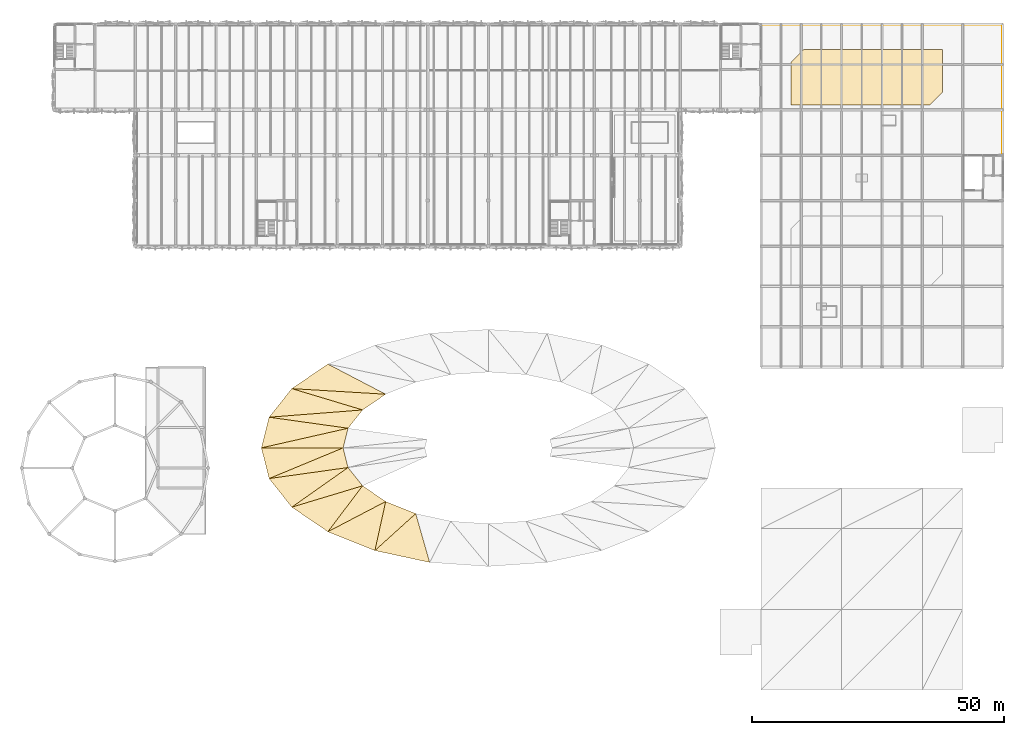
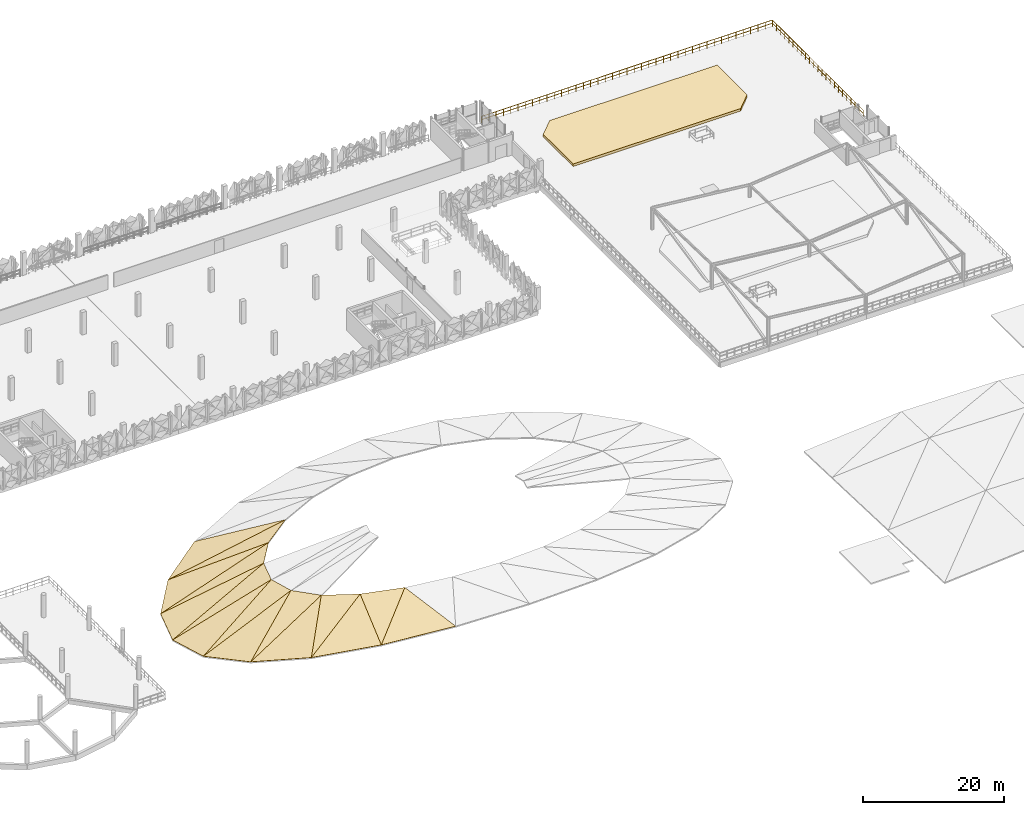
# One storey, part 51 of 52: 16 coverings, 1 railing.
"""IFC4 building model written with IfcOpenShell, lengths in metres."""

from ifc_helpers import new_model, si_unit, derived_unit, direction, frame, origin, origin_2d, place, context, subcontext, project, spatial, polyline, circle, outline, extrude, polygons, material, layer, layer_set, type_object, element, save


model = new_model("IFC4")

# Units and contexts
model_context = context("Model", 3, precision=1e-05, world=origin(), true_north=direction((0.0, 1.0)))
body_context = subcontext(model_context, "Body", "Model", "MODEL_VIEW")
ifc_project = project(units=[si_unit("LENGTHUNIT", "METRE"), si_unit("AREAUNIT", "SQUARE_METRE"), si_unit("VOLUMEUNIT", "CUBIC_METRE"), si_unit("PLANEANGLEUNIT", "RADIAN"), si_unit("MASSUNIT", "GRAM", prefix="KILO"), si_unit("THERMODYNAMICTEMPERATUREUNIT", "KELVIN"), derived_unit("THERMALTRANSMITTANCEUNIT", [(si_unit("POWERUNIT", "WATT"), 1), (si_unit("AREAUNIT", "SQUARE_METRE"), -1), (si_unit("THERMODYNAMICTEMPERATUREUNIT", "KELVIN"), -1)])], contexts=[model_context])

# Site, building, storey
site_placement = place(None, origin())
site = spatial("IfcSite", under=ifc_project, at=site_placement, CompositionType="ELEMENT")
building_placement = place(site_placement, origin())
building = spatial("IfcBuilding", under=site, at=building_placement, Name="Haiyu Intermodal Mobility Hub", CompositionType="ELEMENT")
storey_placement = place(building_placement, frame((0.0, 0.0, 21.199951171875)))
storey = spatial("IfcBuildingStorey", under=building, at=storey_placement, Name="L05", CompositionType="ELEMENT", Elevation=21.199951171875)

# Coverings
ifc_material_1 = material(Name="PTFE tensile membrane")
ifc_layer_1 = layer(ifc_material_1, 0.050048828125)
ifc_layer_set_1 = layer_set([ifc_layer_1], Name="PTFE tensile membrane")
covering_type_1 = type_object("IfcCoveringType", Name="COV-CV03", PredefinedType="ROOFING", material=ifc_layer_set_1)
covering_1_placement = place(storey_placement, origin())
element("IfcCovering", 1, at=covering_1_placement, inside=storey, type_object=covering_type_1, Name="PTFE Saddle Membrane 091", PredefinedType="ROOFING", context=body_context, shape_type="Tessellation", body=[
    polygons([(87.635009765625, 74.635009765625, 1.594970703125), (76.179931640625, 80.616943359375, -1.800048828125), (69.029052734375, 75.75, -3.0), (87.635009765625, 74.635009765625, 1.64501953125), (76.179931640625, 80.616943359375, -1.75), (69.029052734375, 75.75, -2.949951171875)], [[[3, 2, 1]], [[4, 5, 6]], [[1, 2, 5, 4]], [[2, 3, 6, 5]], [[3, 1, 4, 6]]], closed=True),
])
covering_2_placement = place(storey_placement, origin())
element("IfcCovering", 2, at=covering_2_placement, inside=storey, type_object=covering_type_1, Name="PTFE Saddle Membrane 092", PredefinedType="ROOFING", context=body_context, shape_type="Tessellation", body=[
    polygons([(87.635009765625, 74.635009765625, 1.594970703125), (69.029052734375, 75.75, -3.0), (83.05810546875, 71.52001953125, 1.10302734375), (87.635009765625, 74.635009765625, 1.64501953125), (69.029052734375, 75.75, -2.949951171875), (83.05810546875, 71.52001953125, 1.153076171875)], [[[3, 2, 1]], [[4, 5, 6]], [[1, 2, 5, 4]], [[2, 3, 6, 5]], [[3, 1, 4, 6]]], closed=True),
])
covering_3_placement = place(storey_placement, origin())
element("IfcCovering", 3, at=covering_3_placement, inside=storey, type_object=covering_type_1, Name="PTFE Saddle Membrane 093", PredefinedType="ROOFING", context=body_context, shape_type="Tessellation", body=[
    polygons([(83.05810546875, 71.52001953125, 1.10302734375), (69.029052734375, 75.75, -3.0), (64.532958984375, 70.08203125, -3.87890625), (83.05810546875, 71.52001953125, 1.153076171875), (69.029052734375, 75.75, -2.949951171875), (64.532958984375, 70.08203125, -3.828857421875)], [[[3, 2, 1]], [[4, 5, 6]], [[1, 2, 5, 4]], [[2, 3, 6, 5]], [[3, 1, 4, 6]]], closed=True),
])
covering_4_placement = place(storey_placement, origin())
element("IfcCovering", 4, at=covering_4_placement, inside=storey, type_object=covering_type_1, Name="PTFE Saddle Membrane 094", PredefinedType="ROOFING", context=body_context, shape_type="Tessellation", body=[
    polygons([(83.05810546875, 71.52001953125, 1.10302734375), (64.532958984375, 70.08203125, -3.87890625), (80.180908203125, 67.89306640625, 0.7431640625), (83.05810546875, 71.52001953125, 1.153076171875), (64.532958984375, 70.08203125, -3.828857421875), (80.180908203125, 67.89306640625, 0.79296875)], [[[3, 2, 1]], [[4, 5, 6]], [[1, 2, 5, 4]], [[2, 3, 6, 5]], [[3, 1, 4, 6]]], closed=True),
])
covering_5_placement = place(storey_placement, origin())
element("IfcCovering", 5, at=covering_5_placement, inside=storey, type_object=covering_type_1, Name="PTFE Saddle Membrane 095", PredefinedType="ROOFING", context=body_context, shape_type="Tessellation", body=[
    polygons([(80.180908203125, 67.89306640625, 0.7431640625), (64.532958984375, 70.08203125, -3.87890625), (63.0, 64.0, -4.199951171875), (80.180908203125, 67.89306640625, 0.79296875), (64.532958984375, 70.08203125, -3.828857421875), (63.0, 64.0, -4.14990234375)], [[[3, 2, 1]], [[4, 5, 6]], [[1, 2, 5, 4]], [[2, 3, 6, 5]], [[3, 1, 4, 6]]], closed=True),
])
covering_6_placement = place(storey_placement, origin())
element("IfcCovering", 6, at=covering_6_placement, inside=storey, type_object=covering_type_1, Name="PTFE Saddle Membrane 096", PredefinedType="ROOFING", context=body_context, shape_type="Tessellation", body=[
    polygons([(80.180908203125, 67.89306640625, 0.7431640625), (63.0, 64.0, -4.199951171875), (79.199951171875, 64.0, 0.612060546875), (80.180908203125, 67.89306640625, 0.79296875), (63.0, 64.0, -4.14990234375), (79.199951171875, 64.0, 0.662109375)], [[[3, 2, 1]], [[4, 5, 6]], [[1, 2, 5, 4]], [[2, 3, 6, 5]], [[3, 1, 4, 6]]], closed=True),
])
covering_7_placement = place(storey_placement, origin())
element("IfcCovering", 7, at=covering_7_placement, inside=storey, type_object=covering_type_1, Name="PTFE Saddle Membrane 097", PredefinedType="ROOFING", context=body_context, shape_type="Tessellation", body=[
    polygons([(79.199951171875, 64.0, 0.612060546875), (63.0, 64.0, -4.199951171875), (64.532958984375, 57.91796875, -3.87890625), (79.199951171875, 64.0, 0.662109375), (63.0, 64.0, -4.14990234375), (64.532958984375, 57.91796875, -3.828857421875)], [[[3, 2, 1]], [[4, 5, 6]], [[1, 2, 5, 4]], [[2, 3, 6, 5]], [[3, 1, 4, 6]]], closed=True),
])
covering_8_placement = place(storey_placement, origin())
element("IfcCovering", 8, at=covering_8_placement, inside=storey, type_object=covering_type_1, Name="PTFE Saddle Membrane 098", PredefinedType="ROOFING", context=body_context, shape_type="Tessellation", body=[
    polygons([(79.199951171875, 64.0, 0.612060546875), (64.532958984375, 57.91796875, -3.87890625), (80.180908203125, 60.10693359375, 0.7431640625), (79.199951171875, 64.0, 0.662109375), (64.532958984375, 57.91796875, -3.828857421875), (80.180908203125, 60.10693359375, 0.79296875)], [[[3, 2, 1]], [[4, 5, 6]], [[1, 2, 5, 4]], [[2, 3, 6, 5]], [[3, 1, 4, 6]]], closed=True),
])
covering_9_placement = place(storey_placement, origin())
element("IfcCovering", 9, at=covering_9_placement, inside=storey, type_object=covering_type_1, Name="PTFE Saddle Membrane 099", PredefinedType="ROOFING", context=body_context, shape_type="Tessellation", body=[
    polygons([(80.180908203125, 60.10693359375, 0.7431640625), (64.532958984375, 57.91796875, -3.87890625), (69.029052734375, 52.25, -3.0), (80.180908203125, 60.10693359375, 0.79296875), (64.532958984375, 57.91796875, -3.828857421875), (69.029052734375, 52.25, -2.949951171875)], [[[3, 2, 1]], [[4, 5, 6]], [[1, 2, 5, 4]], [[2, 3, 6, 5]], [[3, 1, 4, 6]]], closed=True),
])
covering_10_placement = place(storey_placement, origin())
element("IfcCovering", 10, at=covering_10_placement, inside=storey, type_object=covering_type_1, Name="PTFE Saddle Membrane 100", PredefinedType="ROOFING", context=body_context, shape_type="Tessellation", body=[
    polygons([(80.180908203125, 60.10693359375, 0.7431640625), (69.029052734375, 52.25, -3.0), (83.05810546875, 56.47998046875, 1.10302734375), (80.180908203125, 60.10693359375, 0.79296875), (69.029052734375, 52.25, -2.949951171875), (83.05810546875, 56.47998046875, 1.153076171875)], [[[3, 2, 1]], [[4, 5, 6]], [[1, 2, 5, 4]], [[2, 3, 6, 5]], [[3, 1, 4, 6]]], closed=True),
])
covering_11_placement = place(storey_placement, origin())
element("IfcCovering", 11, at=covering_11_placement, inside=storey, type_object=covering_type_1, Name="PTFE Saddle Membrane 101", PredefinedType="ROOFING", context=body_context, shape_type="Tessellation", body=[
    polygons([(83.05810546875, 56.47998046875, 1.10302734375), (69.029052734375, 52.25, -3.0), (76.179931640625, 47.383056640625, -1.800048828125), (83.05810546875, 56.47998046875, 1.153076171875), (69.029052734375, 52.25, -2.949951171875), (76.179931640625, 47.383056640625, -1.75)], [[[3, 2, 1]], [[4, 5, 6]], [[1, 2, 5, 4]], [[2, 3, 6, 5]], [[3, 1, 4, 6]]], closed=True),
])
covering_12_placement = place(storey_placement, origin())
element("IfcCovering", 12, at=covering_12_placement, inside=storey, type_object=covering_type_1, Name="PTFE Saddle Membrane 102", PredefinedType="ROOFING", context=body_context, shape_type="Tessellation", body=[
    polygons([(83.05810546875, 56.47998046875, 1.10302734375), (76.179931640625, 47.383056640625, -1.800048828125), (87.635009765625, 53.364990234375, 1.594970703125), (83.05810546875, 56.47998046875, 1.153076171875), (76.179931640625, 47.383056640625, -1.75), (87.635009765625, 53.364990234375, 1.64501953125)], [[[3, 2, 1]], [[4, 5, 6]], [[1, 2, 5, 4]], [[2, 3, 6, 5]], [[3, 1, 4, 6]]], closed=True),
])
covering_13_placement = place(storey_placement, origin())
element("IfcCovering", 13, at=covering_13_placement, inside=storey, type_object=covering_type_1, Name="PTFE Saddle Membrane 103", PredefinedType="ROOFING", context=body_context, shape_type="Tessellation", body=[
    polygons([(87.635009765625, 53.364990234375, 1.594970703125), (76.179931640625, 47.383056640625, -1.800048828125), (85.5, 43.64794921875, -0.599853515625), (87.635009765625, 53.364990234375, 1.64501953125), (76.179931640625, 47.383056640625, -1.75), (85.5, 43.64794921875, -0.550048828125)], [[[3, 2, 1]], [[4, 5, 6]], [[1, 2, 5, 4]], [[2, 3, 6, 5]], [[3, 1, 4, 6]]], closed=True),
])
covering_14_placement = place(storey_placement, origin())
element("IfcCovering", 14, at=covering_14_placement, inside=storey, type_object=covering_type_1, Name="PTFE Saddle Membrane 104", PredefinedType="ROOFING", context=body_context, shape_type="Tessellation", body=[
    polygons([(87.635009765625, 53.364990234375, 1.594970703125), (85.5, 43.64794921875, -0.599853515625), (93.60009765625, 50.97509765625, 2.0859375), (87.635009765625, 53.364990234375, 1.64501953125), (85.5, 43.64794921875, -0.550048828125), (93.60009765625, 50.97509765625, 2.135986328125)], [[[3, 2, 1]], [[4, 5, 6]], [[1, 2, 5, 4]], [[2, 3, 6, 5]], [[3, 1, 4, 6]]], closed=True),
])
covering_15_placement = place(storey_placement, origin())
element("IfcCovering", 15, at=covering_15_placement, inside=storey, type_object=covering_type_1, Name="PTFE Saddle Membrane 105", PredefinedType="ROOFING", context=body_context, shape_type="Tessellation", body=[
    polygons([(93.60009765625, 50.97509765625, 2.0859375), (85.5, 43.64794921875, -0.599853515625), (96.35302734375, 41.301025390625, 0.279052734375), (93.60009765625, 50.97509765625, 2.135986328125), (85.5, 43.64794921875, -0.550048828125), (96.35302734375, 41.301025390625, 0.3291015625)], [[[3, 2, 1]], [[4, 5, 6]], [[1, 2, 5, 4]], [[2, 3, 6, 5]], [[3, 1, 4, 6]]], closed=True),
])
ifc_material_2 = material(Name="Acrylic sports court surfacing")
ifc_layer_2 = layer(ifc_material_2, 0.030029296875)
ifc_layer_set_2 = layer_set([ifc_layer_2], Name="Acrylic sports court surfacing")
covering_type_2 = type_object("IfcCoveringType", Name="COV-CV07", PredefinedType="FLOORING", material=ifc_layer_set_2)
covering_16_placement = place(storey_placement, origin())
element("IfcCovering", 16, at=covering_16_placement, inside=storey, type_object=covering_type_2, Name="Sponge-City Planted Roof Garden Bed 04", PredefinedType="FLOORING", context=body_context, shape_type="SweptSolid", body=[
    extrude(outline(polyline([(168.0, 132.0), (195.5, 132.0), (198.0, 134.5), (198.0, 143.0), (170.5, 143.0), (168.0, 140.5), (168.0, 132.0)])), origin(), (0.0, 0.0, 1.0), 0.449951171875),
])

# Railing
ifc_material_3 = material(Name="Steel Q355C", Category="steel")
railing_type = type_object("IfcRailingType", Name="RAL-GR02", PredefinedType="GUARDRAIL", material=ifc_material_3)
railing_placement = place(storey_placement, frame((162.139892578125, 147.8798828125, 0.0)))
element("IfcRailing", 17, at=railing_placement, inside=storey, type_object=railing_type, Name="L05 Roof Garden North-East Guardrail", PredefinedType="GUARDRAIL", context=body_context, shape_type="SweptSolid", body=[
    extrude(circle(Radius=0.02392578125, at=origin_2d()), frame((0.030029296875, 0.0, 1.1259765625), z_axis=(1.0, 0.0, 0.0), x_axis=(0.0, 1.0, 0.0)), (0.0, 0.0, 1.0), 47.679931640625),
    extrude(circle(Radius=0.02392578125, at=origin_2d()), frame((0.037353515625, 0.0, 0.574951171875), z_axis=(1.0, 0.0, 0.0), x_axis=(0.0, 1.0, 0.0)), (0.0, 0.0, 1.0), 1.118896484375),
    extrude(circle(Radius=0.02392578125, at=origin_2d()), frame((1.230712890625, 0.0, 0.574951171875), z_axis=(1.0, 0.0, 0.0), x_axis=(0.0, 1.0, 0.0)), (0.0, 0.0, 1.0), 1.118896484375),
    extrude(circle(Radius=0.02392578125, at=origin_2d()), frame((2.42431640625, 0.0, 0.574951171875), z_axis=(1.0, 0.0, 0.0), x_axis=(0.0, 1.0, 0.0)), (0.0, 0.0, 1.0), 1.118896484375),
    extrude(circle(Radius=0.02392578125, at=origin_2d()), frame((3.61767578125, 0.0, 0.574951171875), z_axis=(1.0, 0.0, 0.0), x_axis=(0.0, 1.0, 0.0)), (0.0, 0.0, 1.0), 1.118896484375),
    extrude(circle(Radius=0.02392578125, at=origin_2d()), frame((4.811279296875, 0.0, 0.574951171875), z_axis=(1.0, 0.0, 0.0), x_axis=(0.0, 1.0, 0.0)), (0.0, 0.0, 1.0), 1.118896484375),
    extrude(circle(Radius=0.02392578125, at=origin_2d()), frame((6.0048828125, 0.0, 0.574951171875), z_axis=(1.0, 0.0, 0.0), x_axis=(0.0, 1.0, 0.0)), (0.0, 0.0, 1.0), 1.118896484375),
    extrude(circle(Radius=0.02392578125, at=origin_2d()), frame((7.1982421875, 0.0, 0.574951171875), z_axis=(1.0, 0.0, 0.0), x_axis=(0.0, 1.0, 0.0)), (0.0, 0.0, 1.0), 1.118896484375),
    extrude(circle(Radius=0.02392578125, at=origin_2d()), frame((8.391845703125, 0.0, 0.574951171875), z_axis=(1.0, 0.0, 0.0), x_axis=(0.0, 1.0, 0.0)), (0.0, 0.0, 1.0), 1.118896484375),
    extrude(circle(Radius=0.02392578125, at=origin_2d()), frame((9.585205078125, 0.0, 0.574951171875), z_axis=(1.0, 0.0, 0.0), x_axis=(0.0, 1.0, 0.0)), (0.0, 0.0, 1.0), 1.118896484375),
    extrude(circle(Radius=0.02392578125, at=origin_2d()), frame((10.77880859375, 0.0, 0.574951171875), z_axis=(1.0, 0.0, 0.0), x_axis=(0.0, 1.0, 0.0)), (0.0, 0.0, 1.0), 1.118896484375),
    extrude(circle(Radius=0.02392578125, at=origin_2d()), frame((11.972412109375, 0.0, 0.574951171875), z_axis=(1.0, 0.0, 0.0), x_axis=(0.0, 1.0, 0.0)), (0.0, 0.0, 1.0), 1.118896484375),
    extrude(circle(Radius=0.02392578125, at=origin_2d()), frame((13.165771484375, 0.0, 0.574951171875), z_axis=(1.0, 0.0, 0.0), x_axis=(0.0, 1.0, 0.0)), (0.0, 0.0, 1.0), 1.118896484375),
    extrude(circle(Radius=0.02392578125, at=origin_2d()), frame((14.359375, 0.0, 0.574951171875), z_axis=(1.0, 0.0, 0.0), x_axis=(0.0, 1.0, 0.0)), (0.0, 0.0, 1.0), 1.118896484375),
    extrude(circle(Radius=0.02392578125, at=origin_2d()), frame((15.552734375, 0.0, 0.574951171875), z_axis=(1.0, 0.0, 0.0), x_axis=(0.0, 1.0, 0.0)), (0.0, 0.0, 1.0), 1.118896484375),
    extrude(circle(Radius=0.02392578125, at=origin_2d()), frame((16.746337890625, 0.0, 0.574951171875), z_axis=(1.0, 0.0, 0.0), x_axis=(0.0, 1.0, 0.0)), (0.0, 0.0, 1.0), 1.118896484375),
    extrude(circle(Radius=0.02392578125, at=origin_2d()), frame((17.939697265625, 0.0, 0.574951171875), z_axis=(1.0, 0.0, 0.0), x_axis=(0.0, 1.0, 0.0)), (0.0, 0.0, 1.0), 1.118896484375),
    extrude(circle(Radius=0.02392578125, at=origin_2d()), frame((19.13330078125, 0.0, 0.574951171875), z_axis=(1.0, 0.0, 0.0), x_axis=(0.0, 1.0, 0.0)), (0.0, 0.0, 1.0), 1.118896484375),
    extrude(circle(Radius=0.02392578125, at=origin_2d()), frame((20.326904296875, 0.0, 0.574951171875), z_axis=(1.0, 0.0, 0.0), x_axis=(0.0, 1.0, 0.0)), (0.0, 0.0, 1.0), 1.118896484375),
    extrude(circle(Radius=0.02392578125, at=origin_2d()), frame((21.520263671875, 0.0, 0.574951171875), z_axis=(1.0, 0.0, 0.0), x_axis=(0.0, 1.0, 0.0)), (0.0, 0.0, 1.0), 1.118896484375),
    extrude(circle(Radius=0.02392578125, at=origin_2d()), frame((22.7138671875, 0.0, 0.574951171875), z_axis=(1.0, 0.0, 0.0), x_axis=(0.0, 1.0, 0.0)), (0.0, 0.0, 1.0), 1.118896484375),
    extrude(circle(Radius=0.02392578125, at=origin_2d()), frame((23.9072265625, 0.0, 0.574951171875), z_axis=(1.0, 0.0, 0.0), x_axis=(0.0, 1.0, 0.0)), (0.0, 0.0, 1.0), 1.118896484375),
    extrude(circle(Radius=0.02392578125, at=origin_2d()), frame((25.100830078125, 0.0, 0.574951171875), z_axis=(1.0, 0.0, 0.0), x_axis=(0.0, 1.0, 0.0)), (0.0, 0.0, 1.0), 1.118896484375),
    extrude(circle(Radius=0.02392578125, at=origin_2d()), frame((26.294189453125, 0.0, 0.574951171875), z_axis=(1.0, 0.0, 0.0), x_axis=(0.0, 1.0, 0.0)), (0.0, 0.0, 1.0), 1.118896484375),
    extrude(circle(Radius=0.02392578125, at=origin_2d()), frame((27.48779296875, 0.0, 0.574951171875), z_axis=(1.0, 0.0, 0.0), x_axis=(0.0, 1.0, 0.0)), (0.0, 0.0, 1.0), 1.118896484375),
    extrude(circle(Radius=0.02392578125, at=origin_2d()), frame((28.681396484375, 0.0, 0.574951171875), z_axis=(1.0, 0.0, 0.0), x_axis=(0.0, 1.0, 0.0)), (0.0, 0.0, 1.0), 1.118896484375),
    extrude(circle(Radius=0.02392578125, at=origin_2d()), frame((29.874755859375, 0.0, 0.574951171875), z_axis=(1.0, 0.0, 0.0), x_axis=(0.0, 1.0, 0.0)), (0.0, 0.0, 1.0), 1.118896484375),
    extrude(circle(Radius=0.02392578125, at=origin_2d()), frame((31.068359375, 0.0, 0.574951171875), z_axis=(1.0, 0.0, 0.0), x_axis=(0.0, 1.0, 0.0)), (0.0, 0.0, 1.0), 1.118896484375),
    extrude(circle(Radius=0.02392578125, at=origin_2d()), frame((32.26171875, 0.0, 0.574951171875), z_axis=(1.0, 0.0, 0.0), x_axis=(0.0, 1.0, 0.0)), (0.0, 0.0, 1.0), 1.118896484375),
    extrude(circle(Radius=0.02392578125, at=origin_2d()), frame((33.455322265625, 0.0, 0.574951171875), z_axis=(1.0, 0.0, 0.0), x_axis=(0.0, 1.0, 0.0)), (0.0, 0.0, 1.0), 1.118896484375),
    extrude(circle(Radius=0.02392578125, at=origin_2d()), frame((34.648681640625, 0.0, 0.574951171875), z_axis=(1.0, 0.0, 0.0), x_axis=(0.0, 1.0, 0.0)), (0.0, 0.0, 1.0), 1.118896484375),
    extrude(circle(Radius=0.02392578125, at=origin_2d()), frame((35.84228515625, 0.0, 0.574951171875), z_axis=(1.0, 0.0, 0.0), x_axis=(0.0, 1.0, 0.0)), (0.0, 0.0, 1.0), 1.118896484375),
    extrude(circle(Radius=0.02392578125, at=origin_2d()), frame((37.035888671875, 0.0, 0.574951171875), z_axis=(1.0, 0.0, 0.0), x_axis=(0.0, 1.0, 0.0)), (0.0, 0.0, 1.0), 1.118896484375),
    extrude(circle(Radius=0.02392578125, at=origin_2d()), frame((38.229248046875, 0.0, 0.574951171875), z_axis=(1.0, 0.0, 0.0), x_axis=(0.0, 1.0, 0.0)), (0.0, 0.0, 1.0), 1.118896484375),
    extrude(circle(Radius=0.02392578125, at=origin_2d()), frame((39.4228515625, 0.0, 0.574951171875), z_axis=(1.0, 0.0, 0.0), x_axis=(0.0, 1.0, 0.0)), (0.0, 0.0, 1.0), 1.118896484375),
    extrude(circle(Radius=0.02392578125, at=origin_2d()), frame((40.6162109375, 0.0, 0.574951171875), z_axis=(1.0, 0.0, 0.0), x_axis=(0.0, 1.0, 0.0)), (0.0, 0.0, 1.0), 1.118896484375),
    extrude(circle(Radius=0.02392578125, at=origin_2d()), frame((41.809814453125, 0.0, 0.574951171875), z_axis=(1.0, 0.0, 0.0), x_axis=(0.0, 1.0, 0.0)), (0.0, 0.0, 1.0), 1.118896484375),
    extrude(circle(Radius=0.02392578125, at=origin_2d()), frame((43.003173828125, 0.0, 0.574951171875), z_axis=(1.0, 0.0, 0.0), x_axis=(0.0, 1.0, 0.0)), (0.0, 0.0, 1.0), 1.118896484375),
    extrude(circle(Radius=0.02392578125, at=origin_2d()), frame((44.19677734375, 0.0, 0.574951171875), z_axis=(1.0, 0.0, 0.0), x_axis=(0.0, 1.0, 0.0)), (0.0, 0.0, 1.0), 1.118896484375),
    extrude(circle(Radius=0.02392578125, at=origin_2d()), frame((45.390380859375, 0.0, 0.574951171875), z_axis=(1.0, 0.0, 0.0), x_axis=(0.0, 1.0, 0.0)), (0.0, 0.0, 1.0), 1.118896484375),
    extrude(circle(Radius=0.02392578125, at=origin_2d()), frame((46.583740234375, 0.0, 0.574951171875), z_axis=(1.0, 0.0, 0.0), x_axis=(0.0, 1.0, 0.0)), (0.0, 0.0, 1.0), 1.118896484375),
    extrude(circle(Radius=0.02392578125, at=origin_2d()), frame((47.739990234375, -0.030029296875, 1.1259765625), z_axis=(0.0, -1.0, 0.0), x_axis=(1.0, 0.0, 0.0)), (0.0, 0.0, 1.0), 25.769775390625),
    extrude(circle(Radius=0.02392578125, at=origin_2d()), frame((47.739990234375, -0.037353515625, 0.574951171875), z_axis=(0.0, -1.0, 0.0), x_axis=(1.0, 0.0, 0.0)), (0.0, 0.0, 1.0), 1.099609375),
    extrude(circle(Radius=0.02392578125, at=origin_2d()), frame((47.739990234375, -1.21142578125, 0.574951171875), z_axis=(0.0, -1.0, 0.0), x_axis=(1.0, 0.0, 0.0)), (0.0, 0.0, 1.0), 1.099609375),
    extrude(circle(Radius=0.02392578125, at=origin_2d()), frame((47.739990234375, -2.385498046875, 0.574951171875), z_axis=(0.0, -1.0, 0.0), x_axis=(1.0, 0.0, 0.0)), (0.0, 0.0, 1.0), 1.099609375),
    extrude(circle(Radius=0.02392578125, at=origin_2d()), frame((47.739990234375, -3.5595703125, 0.574951171875), z_axis=(0.0, -1.0, 0.0), x_axis=(1.0, 0.0, 0.0)), (0.0, 0.0, 1.0), 1.099609375),
    extrude(circle(Radius=0.02392578125, at=origin_2d()), frame((47.739990234375, -4.733642578125, 0.574951171875), z_axis=(0.0, -1.0, 0.0), x_axis=(1.0, 0.0, 0.0)), (0.0, 0.0, 1.0), 1.099609375),
    extrude(circle(Radius=0.02392578125, at=origin_2d()), frame((47.739990234375, -5.90771484375, 0.574951171875), z_axis=(0.0, -1.0, 0.0), x_axis=(1.0, 0.0, 0.0)), (0.0, 0.0, 1.0), 1.099609375),
    extrude(circle(Radius=0.02392578125, at=origin_2d()), frame((47.739990234375, -7.081787109375, 0.574951171875), z_axis=(0.0, -1.0, 0.0), x_axis=(1.0, 0.0, 0.0)), (0.0, 0.0, 1.0), 1.099609375),
    extrude(circle(Radius=0.02392578125, at=origin_2d()), frame((47.739990234375, -8.255859375, 0.574951171875), z_axis=(0.0, -1.0, 0.0), x_axis=(1.0, 0.0, 0.0)), (0.0, 0.0, 1.0), 1.099609375),
    extrude(circle(Radius=0.02392578125, at=origin_2d()), frame((47.739990234375, -9.429931640625, 0.574951171875), z_axis=(0.0, -1.0, 0.0), x_axis=(1.0, 0.0, 0.0)), (0.0, 0.0, 1.0), 1.099609375),
    extrude(circle(Radius=0.02392578125, at=origin_2d()), frame((47.739990234375, -10.60400390625, 0.574951171875), z_axis=(0.0, -1.0, 0.0), x_axis=(1.0, 0.0, 0.0)), (0.0, 0.0, 1.0), 1.099609375),
    extrude(circle(Radius=0.02392578125, at=origin_2d()), frame((47.739990234375, -11.778076171875, 0.574951171875), z_axis=(0.0, -1.0, 0.0), x_axis=(1.0, 0.0, 0.0)), (0.0, 0.0, 1.0), 1.099609375),
    extrude(circle(Radius=0.02392578125, at=origin_2d()), frame((47.739990234375, -12.9521484375, 0.574951171875), z_axis=(0.0, -1.0, 0.0), x_axis=(1.0, 0.0, 0.0)), (0.0, 0.0, 1.0), 1.099609375),
    extrude(circle(Radius=0.02392578125, at=origin_2d()), frame((47.739990234375, -14.126220703125, 0.574951171875), z_axis=(0.0, -1.0, 0.0), x_axis=(1.0, 0.0, 0.0)), (0.0, 0.0, 1.0), 1.099609375),
    extrude(circle(Radius=0.02392578125, at=origin_2d()), frame((47.739990234375, -15.30029296875, 0.574951171875), z_axis=(0.0, -1.0, 0.0), x_axis=(1.0, 0.0, 0.0)), (0.0, 0.0, 1.0), 1.099609375),
    extrude(circle(Radius=0.02392578125, at=origin_2d()), frame((47.739990234375, -16.474365234375, 0.574951171875), z_axis=(0.0, -1.0, 0.0), x_axis=(1.0, 0.0, 0.0)), (0.0, 0.0, 1.0), 1.099609375),
    extrude(circle(Radius=0.02392578125, at=origin_2d()), frame((47.739990234375, -17.6484375, 0.574951171875), z_axis=(0.0, -1.0, 0.0), x_axis=(1.0, 0.0, 0.0)), (0.0, 0.0, 1.0), 1.099609375),
    extrude(circle(Radius=0.02392578125, at=origin_2d()), frame((47.739990234375, -18.822509765625, 0.574951171875), z_axis=(0.0, -1.0, 0.0), x_axis=(1.0, 0.0, 0.0)), (0.0, 0.0, 1.0), 1.099609375),
    extrude(circle(Radius=0.02392578125, at=origin_2d()), frame((47.739990234375, -19.996826171875, 0.574951171875), z_axis=(0.0, -1.0, 0.0), x_axis=(1.0, 0.0, 0.0)), (0.0, 0.0, 1.0), 1.099609375),
    extrude(circle(Radius=0.02392578125, at=origin_2d()), frame((47.739990234375, -21.1708984375, 0.574951171875), z_axis=(0.0, -1.0, 0.0), x_axis=(1.0, 0.0, 0.0)), (0.0, 0.0, 1.0), 1.099609375),
    extrude(circle(Radius=0.02392578125, at=origin_2d()), frame((47.739990234375, -22.344970703125, 0.574951171875), z_axis=(0.0, -1.0, 0.0), x_axis=(1.0, 0.0, 0.0)), (0.0, 0.0, 1.0), 1.099609375),
    extrude(circle(Radius=0.02392578125, at=origin_2d()), frame((47.739990234375, -23.51904296875, 0.574951171875), z_axis=(0.0, -1.0, 0.0), x_axis=(1.0, 0.0, 0.0)), (0.0, 0.0, 1.0), 1.099609375),
    extrude(circle(Radius=0.02392578125, at=origin_2d()), frame((47.739990234375, -24.693115234375, 0.574951171875), z_axis=(0.0, -1.0, 0.0), x_axis=(1.0, 0.0, 0.0)), (0.0, 0.0, 1.0), 1.099609375),
    extrude(circle(Radius=0.02099609375, at=origin_2d()), origin(), (0.0, 0.0, 1.0), 1.09375),
    extrude(circle(Radius=0.02099609375, at=origin_2d()), frame((1.193603515625, 0.0, 0.0)), (0.0, 0.0, 1.0), 1.09375),
    extrude(circle(Radius=0.02099609375, at=origin_2d()), frame((2.386962890625, 0.0, 0.0)), (0.0, 0.0, 1.0), 1.09375),
    extrude(circle(Radius=0.02099609375, at=origin_2d()), frame((3.58056640625, 0.0, 0.0)), (0.0, 0.0, 1.0), 1.09375),
    extrude(circle(Radius=0.02099609375, at=origin_2d()), frame((4.77392578125, 0.0, 0.0)), (0.0, 0.0, 1.0), 1.09375),
    extrude(circle(Radius=0.02099609375, at=origin_2d()), frame((5.967529296875, 0.0, 0.0)), (0.0, 0.0, 1.0), 1.09375),
    extrude(circle(Radius=0.02099609375, at=origin_2d()), frame((7.160888671875, 0.0, 0.0)), (0.0, 0.0, 1.0), 1.09375),
    extrude(circle(Radius=0.02099609375, at=origin_2d()), frame((8.3544921875, 0.0, 0.0)), (0.0, 0.0, 1.0), 1.09375),
    extrude(circle(Radius=0.02099609375, at=origin_2d()), frame((9.548095703125, 0.0, 0.0)), (0.0, 0.0, 1.0), 1.09375),
    extrude(circle(Radius=0.02099609375, at=origin_2d()), frame((10.741455078125, 0.0, 0.0)), (0.0, 0.0, 1.0), 1.09375),
    extrude(circle(Radius=0.02099609375, at=origin_2d()), frame((11.93505859375, 0.0, 0.0)), (0.0, 0.0, 1.0), 1.09375),
    extrude(circle(Radius=0.02099609375, at=origin_2d()), frame((13.12841796875, 0.0, 0.0)), (0.0, 0.0, 1.0), 1.09375),
    extrude(circle(Radius=0.02099609375, at=origin_2d()), frame((14.322021484375, 0.0, 0.0)), (0.0, 0.0, 1.0), 1.09375),
    extrude(circle(Radius=0.02099609375, at=origin_2d()), frame((15.515380859375, 0.0, 0.0)), (0.0, 0.0, 1.0), 1.09375),
    extrude(circle(Radius=0.02099609375, at=origin_2d()), frame((16.708984375, 0.0, 0.0)), (0.0, 0.0, 1.0), 1.09375),
    extrude(circle(Radius=0.02099609375, at=origin_2d()), frame((17.902587890625, 0.0, 0.0)), (0.0, 0.0, 1.0), 1.09375),
    extrude(circle(Radius=0.02099609375, at=origin_2d()), frame((19.095947265625, 0.0, 0.0)), (0.0, 0.0, 1.0), 1.09375),
    extrude(circle(Radius=0.02099609375, at=origin_2d()), frame((20.28955078125, 0.0, 0.0)), (0.0, 0.0, 1.0), 1.09375),
    extrude(circle(Radius=0.02099609375, at=origin_2d()), frame((21.48291015625, 0.0, 0.0)), (0.0, 0.0, 1.0), 1.09375),
    extrude(circle(Radius=0.02099609375, at=origin_2d()), frame((22.676513671875, 0.0, 0.0)), (0.0, 0.0, 1.0), 1.09375),
    extrude(circle(Radius=0.02099609375, at=origin_2d()), frame((23.8701171875, 0.0, 0.0)), (0.0, 0.0, 1.0), 1.09375),
    extrude(circle(Radius=0.02099609375, at=origin_2d()), frame((25.0634765625, 0.0, 0.0)), (0.0, 0.0, 1.0), 1.09375),
    extrude(circle(Radius=0.02099609375, at=origin_2d()), frame((26.257080078125, 0.0, 0.0)), (0.0, 0.0, 1.0), 1.09375),
    extrude(circle(Radius=0.02099609375, at=origin_2d()), frame((27.450439453125, 0.0, 0.0)), (0.0, 0.0, 1.0), 1.09375),
    extrude(circle(Radius=0.02099609375, at=origin_2d()), frame((28.64404296875, 0.0, 0.0)), (0.0, 0.0, 1.0), 1.09375),
    extrude(circle(Radius=0.02099609375, at=origin_2d()), frame((29.83740234375, 0.0, 0.0)), (0.0, 0.0, 1.0), 1.09375),
    extrude(circle(Radius=0.02099609375, at=origin_2d()), frame((31.031005859375, 0.0, 0.0)), (0.0, 0.0, 1.0), 1.09375),
    extrude(circle(Radius=0.02099609375, at=origin_2d()), frame((32.224609375, 0.0, 0.0)), (0.0, 0.0, 1.0), 1.09375),
    extrude(circle(Radius=0.02099609375, at=origin_2d()), frame((33.41796875, 0.0, 0.0)), (0.0, 0.0, 1.0), 1.09375),
    extrude(circle(Radius=0.02099609375, at=origin_2d()), frame((34.611572265625, 0.0, 0.0)), (0.0, 0.0, 1.0), 1.09375),
    extrude(circle(Radius=0.02099609375, at=origin_2d()), frame((35.804931640625, 0.0, 0.0)), (0.0, 0.0, 1.0), 1.09375),
    extrude(circle(Radius=0.02099609375, at=origin_2d()), frame((36.99853515625, 0.0, 0.0)), (0.0, 0.0, 1.0), 1.09375),
    extrude(circle(Radius=0.02099609375, at=origin_2d()), frame((38.19189453125, 0.0, 0.0)), (0.0, 0.0, 1.0), 1.09375),
    extrude(circle(Radius=0.02099609375, at=origin_2d()), frame((39.385498046875, 0.0, 0.0)), (0.0, 0.0, 1.0), 1.09375),
    extrude(circle(Radius=0.02099609375, at=origin_2d()), frame((40.5791015625, 0.0, 0.0)), (0.0, 0.0, 1.0), 1.09375),
    extrude(circle(Radius=0.02099609375, at=origin_2d()), frame((41.7724609375, 0.0, 0.0)), (0.0, 0.0, 1.0), 1.09375),
    extrude(circle(Radius=0.02099609375, at=origin_2d()), frame((42.966064453125, 0.0, 0.0)), (0.0, 0.0, 1.0), 1.09375),
    extrude(circle(Radius=0.02099609375, at=origin_2d()), frame((44.159423828125, 0.0, 0.0)), (0.0, 0.0, 1.0), 1.09375),
    extrude(circle(Radius=0.02099609375, at=origin_2d()), frame((45.35302734375, 0.0, 0.0)), (0.0, 0.0, 1.0), 1.09375),
    extrude(circle(Radius=0.02099609375, at=origin_2d()), frame((46.54638671875, 0.0, 0.0)), (0.0, 0.0, 1.0), 1.09375),
    extrude(circle(Radius=0.02099609375, at=origin_2d()), frame((47.739990234375, 0.0, 0.0)), (0.0, 0.0, 1.0), 1.09375),
    extrude(circle(Radius=0.02099609375, at=origin_2d()), frame((47.739990234375, -1.174072265625, 0.0)), (0.0, 0.0, 1.0), 1.09375),
    extrude(circle(Radius=0.02099609375, at=origin_2d()), frame((47.739990234375, -2.34814453125, 0.0)), (0.0, 0.0, 1.0), 1.09375),
    extrude(circle(Radius=0.02099609375, at=origin_2d()), frame((47.739990234375, -3.522216796875, 0.0)), (0.0, 0.0, 1.0), 1.09375),
    extrude(circle(Radius=0.02099609375, at=origin_2d()), frame((47.739990234375, -4.6962890625, 0.0)), (0.0, 0.0, 1.0), 1.09375),
    extrude(circle(Radius=0.02099609375, at=origin_2d()), frame((47.739990234375, -5.870361328125, 0.0)), (0.0, 0.0, 1.0), 1.09375),
    extrude(circle(Radius=0.02099609375, at=origin_2d()), frame((47.739990234375, -7.04443359375, 0.0)), (0.0, 0.0, 1.0), 1.09375),
    extrude(circle(Radius=0.02099609375, at=origin_2d()), frame((47.739990234375, -8.218505859375, 0.0)), (0.0, 0.0, 1.0), 1.09375),
    extrude(circle(Radius=0.02099609375, at=origin_2d()), frame((47.739990234375, -9.392578125, 0.0)), (0.0, 0.0, 1.0), 1.09375),
    extrude(circle(Radius=0.02099609375, at=origin_2d()), frame((47.739990234375, -10.566650390625, 0.0)), (0.0, 0.0, 1.0), 1.09375),
    extrude(circle(Radius=0.02099609375, at=origin_2d()), frame((47.739990234375, -11.74072265625, 0.0)), (0.0, 0.0, 1.0), 1.09375),
    extrude(circle(Radius=0.02099609375, at=origin_2d()), frame((47.739990234375, -12.9150390625, 0.0)), (0.0, 0.0, 1.0), 1.09375),
    extrude(circle(Radius=0.02099609375, at=origin_2d()), frame((47.739990234375, -14.089111328125, 0.0)), (0.0, 0.0, 1.0), 1.09375),
    extrude(circle(Radius=0.02099609375, at=origin_2d()), frame((47.739990234375, -15.26318359375, 0.0)), (0.0, 0.0, 1.0), 1.09375),
    extrude(circle(Radius=0.02099609375, at=origin_2d()), frame((47.739990234375, -16.437255859375, 0.0)), (0.0, 0.0, 1.0), 1.09375),
    extrude(circle(Radius=0.02099609375, at=origin_2d()), frame((47.739990234375, -17.611328125, 0.0)), (0.0, 0.0, 1.0), 1.09375),
    extrude(circle(Radius=0.02099609375, at=origin_2d()), frame((47.739990234375, -18.785400390625, 0.0)), (0.0, 0.0, 1.0), 1.09375),
    extrude(circle(Radius=0.02099609375, at=origin_2d()), frame((47.739990234375, -19.95947265625, 0.0)), (0.0, 0.0, 1.0), 1.09375),
    extrude(circle(Radius=0.02099609375, at=origin_2d()), frame((47.739990234375, -21.133544921875, 0.0)), (0.0, 0.0, 1.0), 1.09375),
    extrude(circle(Radius=0.02099609375, at=origin_2d()), frame((47.739990234375, -22.3076171875, 0.0)), (0.0, 0.0, 1.0), 1.09375),
    extrude(circle(Radius=0.02099609375, at=origin_2d()), frame((47.739990234375, -23.481689453125, 0.0)), (0.0, 0.0, 1.0), 1.09375),
    extrude(circle(Radius=0.02099609375, at=origin_2d()), frame((47.739990234375, -24.65576171875, 0.0)), (0.0, 0.0, 1.0), 1.09375),
    extrude(circle(Radius=0.02099609375, at=origin_2d()), frame((47.739990234375, -25.829833984375, 0.0)), (0.0, 0.0, 1.0), 1.09375),
])

save(model, "model.ifc")
